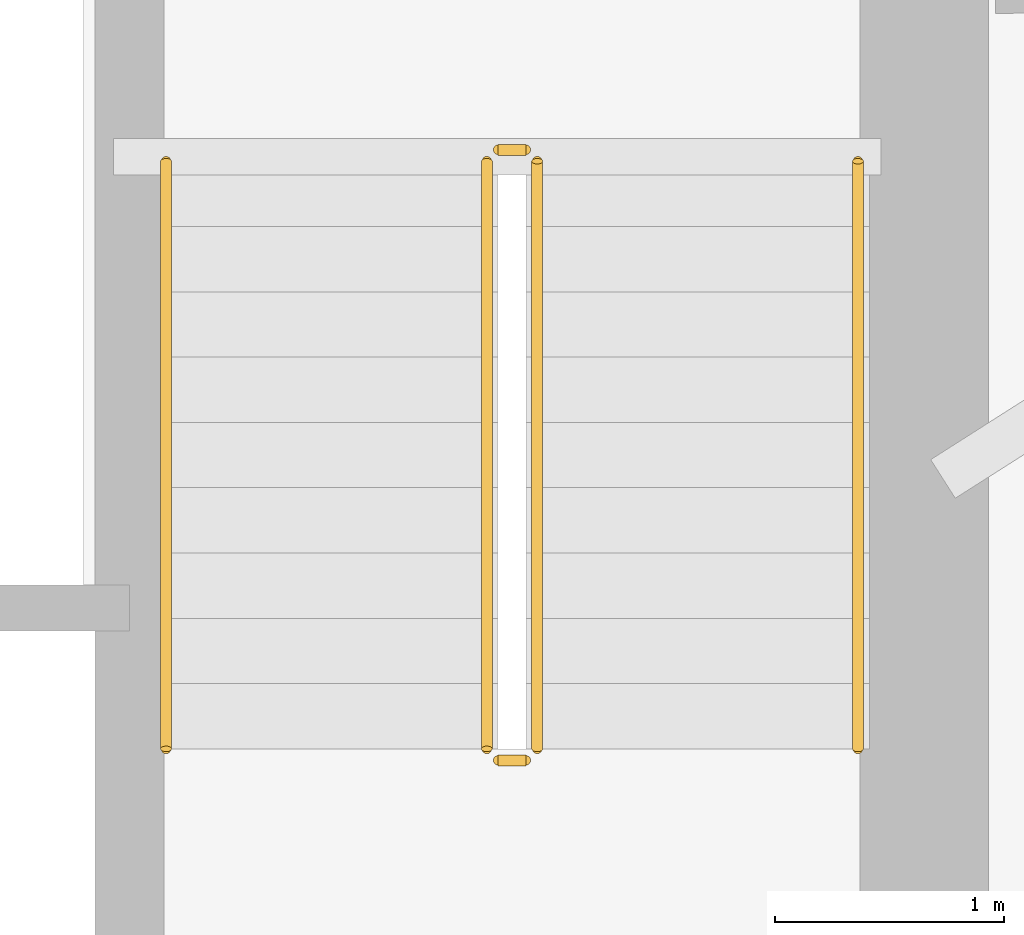
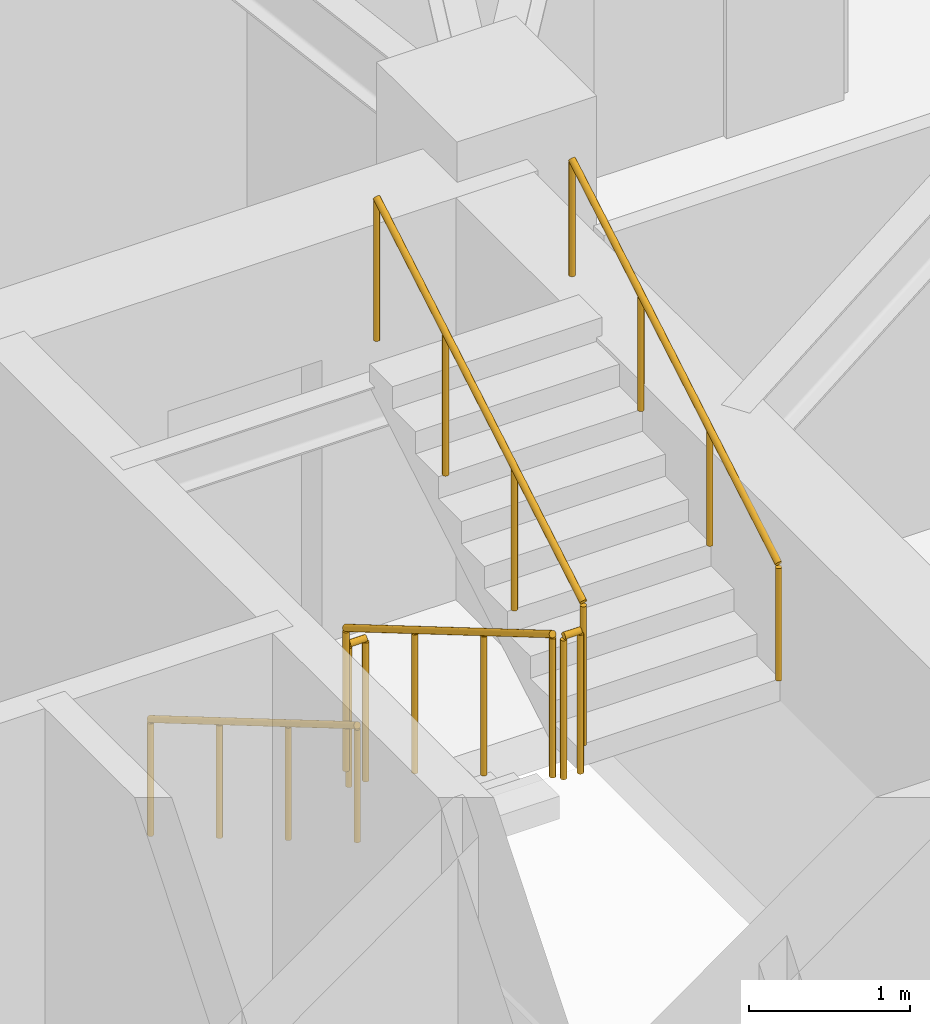
# One storey, part 18 of 18: 6 railings.
"""IFC4 building model written with IfcOpenShell, lengths in metres."""

from ifc_helpers import new_model, si_unit, direction, frame, origin, origin_2d, place, context, subcontext, project, spatial, circle, extrude, material, type_object, element, save


model = new_model("IFC4")

# Units and contexts
model_context = context("Model", 3, precision=1e-05, world=origin(), true_north=direction((0.0, 1.0)))
body_context = subcontext(model_context, "Body", "Model", "MODEL_VIEW")
ifc_project = project(units=[si_unit("LENGTHUNIT", "METRE"), si_unit("AREAUNIT", "SQUARE_METRE"), si_unit("VOLUMEUNIT", "CUBIC_METRE"), si_unit("PLANEANGLEUNIT", "RADIAN"), si_unit("MASSUNIT", "GRAM", prefix="KILO")], contexts=[model_context])

# Site, building, storey
site_placement = place(None, origin())
site = spatial("IfcSite", under=ifc_project, at=site_placement, CompositionType="ELEMENT")
building_placement = place(site_placement, origin())
building = spatial("IfcBuilding", under=site, at=building_placement, Name="Qobustan Lattice House", CompositionType="ELEMENT")
storey_placement = place(building_placement, frame((0.0, 0.0, 119.199951171875)))
storey = spatial("IfcBuildingStorey", under=building, at=storey_placement, Name="L33", CompositionType="ELEMENT", Elevation=119.199951171875)

# Railings
ifc_material_1 = material(Name="Brushed stainless steel handrail", Category="steel")
railing_type_1 = type_object("IfcRailingType", Name="RAL-HR-920", PredefinedType="HANDRAIL", material=ifc_material_1)
railing_1_placement = place(storey_placement, frame((15.179931640625, 3.5, 0.16748046875)))
element("IfcRailing", 1, at=railing_1_placement, inside=storey, type_object=railing_type_1, Name="L33 ST-E1 stair handrail 1", PredefinedType="HANDRAIL", context=body_context, shape_type="SweptSolid", body=[
    extrude(circle(Radius=0.02392578125, at=origin_2d()), frame((0.0, 0.0, 0.8759765625), z_axis=(0.0, -0.862113467892, 0.50671527358), x_axis=(1.0, 0.0, 0.0)), (0.0, 0.0, 1.0), 2.97509765625),
    extrude(circle(Radius=0.02099609375, at=origin_2d()), origin(), (0.0, 0.0, 1.0), 0.851806640625),
    extrude(circle(Radius=0.02099609375, at=origin_2d()), frame((0.0, -0.85498046875, 0.50244140625)), (0.0, 0.0, 1.0), 0.851806640625),
    extrude(circle(Radius=0.02099609375, at=origin_2d()), frame((0.0, -1.7099609375, 1.005126953125)), (0.0, 0.0, 1.0), 0.851806640625),
    extrude(circle(Radius=0.02099609375, at=origin_2d()), frame((0.0, -2.56494140625, 1.507568359375)), (0.0, 0.0, 1.0), 0.851806640625),
])
railing_2_placement = place(storey_placement, frame((18.199951171875, 0.93505859375, 1.842529296875)))
element("IfcRailing", 2, at=railing_2_placement, inside=storey, type_object=railing_type_1, Name="L33 ST-E1 stair handrail 2", PredefinedType="HANDRAIL", context=body_context, shape_type="SweptSolid", body=[
    extrude(circle(Radius=0.02392578125, at=origin_2d()), frame((0.0, 0.0, 0.8759765625), z_axis=(0.0, 0.862113467892, 0.50671527358), x_axis=(-1.0, 0.0, 0.0)), (0.0, 0.0, 1.0), 2.97509765625),
    extrude(circle(Radius=0.02099609375, at=origin_2d()), origin(), (0.0, 0.0, 1.0), 0.851806640625),
    extrude(circle(Radius=0.02099609375, at=origin_2d()), frame((0.0, 0.85498046875, 0.50244140625)), (0.0, 0.0, 1.0), 0.851806640625),
    extrude(circle(Radius=0.02099609375, at=origin_2d()), frame((0.0, 1.7099609375, 1.005126953125)), (0.0, 0.0, 1.0), 0.851806640625),
    extrude(circle(Radius=0.02099609375, at=origin_2d()), frame((0.0, 2.56494140625, 1.507568359375)), (0.0, 0.0, 1.0), 0.851806640625),
])
ifc_material_2 = material(Name="Painted galvanized steel guardrail", Category="steel")
railing_type_2 = type_object("IfcRailingType", Name="RAL-STG-1150", PredefinedType="GUARDRAIL", material=ifc_material_2)
railing_3_placement = place(storey_placement, frame((16.580078125, 3.5, 0.16748046875)))
element("IfcRailing", 3, at=railing_3_placement, inside=storey, type_object=railing_type_2, Name="L33 ST-E1 stair guard 1", PredefinedType="GUARDRAIL", context=body_context, shape_type="SweptSolid", body=[
    extrude(circle(Radius=0.02392578125, at=origin_2d()), frame((0.0, 0.0, 1.076171875), z_axis=(0.0, -0.862113467892, 0.50671527358), x_axis=(1.0, 0.0, 0.0)), (0.0, 0.0, 1.0), 2.97509765625),
    extrude(circle(Radius=0.02099609375, at=origin_2d()), origin(), (0.0, 0.0, 1.0), 1.052001953125),
    extrude(circle(Radius=0.02099609375, at=origin_2d()), frame((0.0, -0.85498046875, 0.50244140625)), (0.0, 0.0, 1.0), 1.052001953125),
    extrude(circle(Radius=0.02099609375, at=origin_2d()), frame((0.0, -1.7099609375, 1.005126953125)), (0.0, 0.0, 1.0), 1.052001953125),
    extrude(circle(Radius=0.02099609375, at=origin_2d()), frame((0.0, -2.56494140625, 1.507568359375)), (0.0, 0.0, 1.0), 1.052001953125),
])
railing_4_placement = place(storey_placement, frame((16.6298828125, 0.885009765625, 1.675048828125)))
element("IfcRailing", 4, at=railing_4_placement, inside=storey, type_object=railing_type_2, Name="L33 ST-E1 stair guard 2", PredefinedType="GUARDRAIL", context=body_context, shape_type="SweptSolid", body=[
    extrude(circle(Radius=0.02392578125, at=origin_2d()), frame((0.0, 0.0, 1.076171875), z_axis=(1.0, 0.0, 0.0), x_axis=(0.0, 1.0, 0.0)), (0.0, 0.0, 1.0), 0.1201171875),
    extrude(circle(Radius=0.02099609375, at=origin_2d()), origin(), (0.0, 0.0, 1.0), 1.052001953125),
    extrude(circle(Radius=0.02099609375, at=origin_2d()), frame((0.1201171875, 0.0, 0.0)), (0.0, 0.0, 1.0), 1.052001953125),
])
railing_5_placement = place(storey_placement, frame((16.800048828125, 0.93505859375, 1.842529296875)))
element("IfcRailing", 5, at=railing_5_placement, inside=storey, type_object=railing_type_2, Name="L33 ST-E1 stair guard 3", PredefinedType="GUARDRAIL", context=body_context, shape_type="SweptSolid", body=[
    extrude(circle(Radius=0.02392578125, at=origin_2d()), frame((0.0, 0.0, 1.076171875), z_axis=(0.0, 0.862113467892, 0.50671527358), x_axis=(-1.0, 0.0, 0.0)), (0.0, 0.0, 1.0), 2.97509765625),
    extrude(circle(Radius=0.02099609375, at=origin_2d()), origin(), (0.0, 0.0, 1.0), 1.052001953125),
    extrude(circle(Radius=0.02099609375, at=origin_2d()), frame((0.0, 0.85498046875, 0.50244140625)), (0.0, 0.0, 1.0), 1.052001953125),
    extrude(circle(Radius=0.02099609375, at=origin_2d()), frame((0.0, 1.7099609375, 1.005126953125)), (0.0, 0.0, 1.0), 1.052001953125),
    extrude(circle(Radius=0.02099609375, at=origin_2d()), frame((0.0, 2.56494140625, 1.507568359375)), (0.0, 0.0, 1.0), 1.052001953125),
])
railing_6_placement = place(storey_placement, frame((16.6298828125, 3.550048828125, 0.0)))
element("IfcRailing", 6, at=railing_6_placement, inside=storey, type_object=railing_type_2, Name="L33 ST-E1 stair guard 4", PredefinedType="GUARDRAIL", context=body_context, shape_type="SweptSolid", body=[
    extrude(circle(Radius=0.02392578125, at=origin_2d()), frame((0.0, 0.0, 1.076171875), z_axis=(1.0, 0.0, 0.0), x_axis=(0.0, 1.0, 0.0)), (0.0, 0.0, 1.0), 0.1201171875),
    extrude(circle(Radius=0.02099609375, at=origin_2d()), origin(), (0.0, 0.0, 1.0), 1.052001953125),
    extrude(circle(Radius=0.02099609375, at=origin_2d()), frame((0.1201171875, 0.0, 0.0)), (0.0, 0.0, 1.0), 1.052001953125),
])

save(model, "model.ifc")
